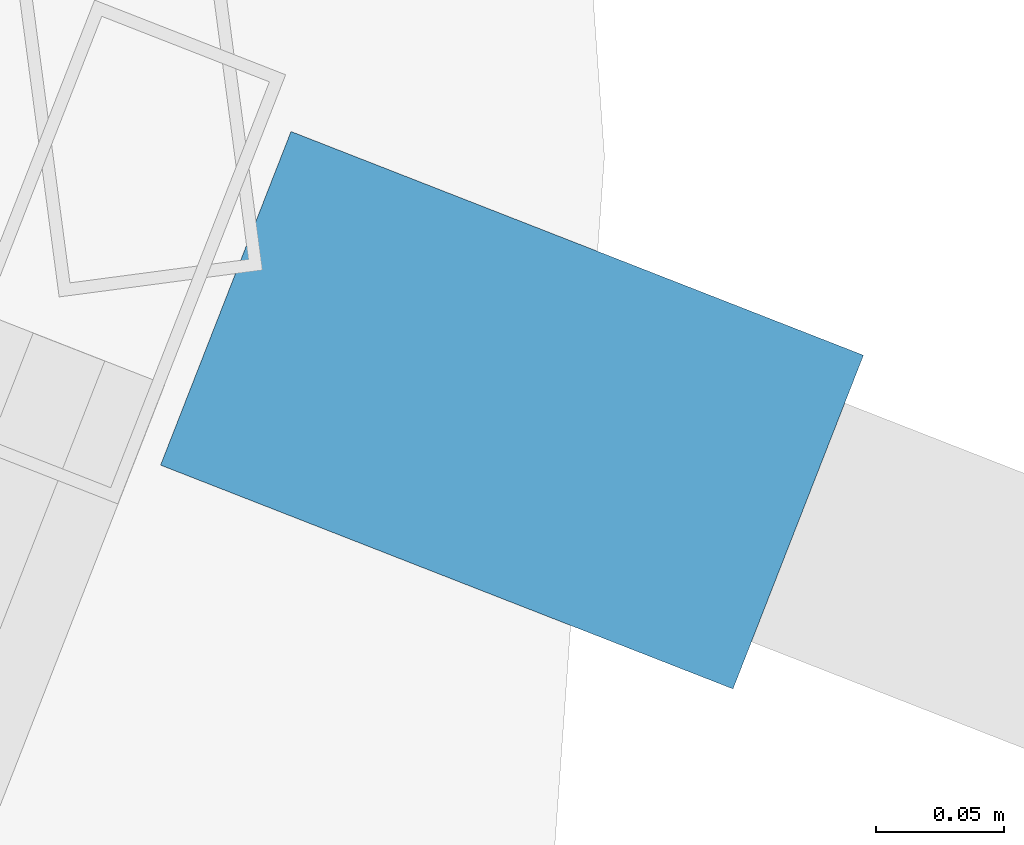
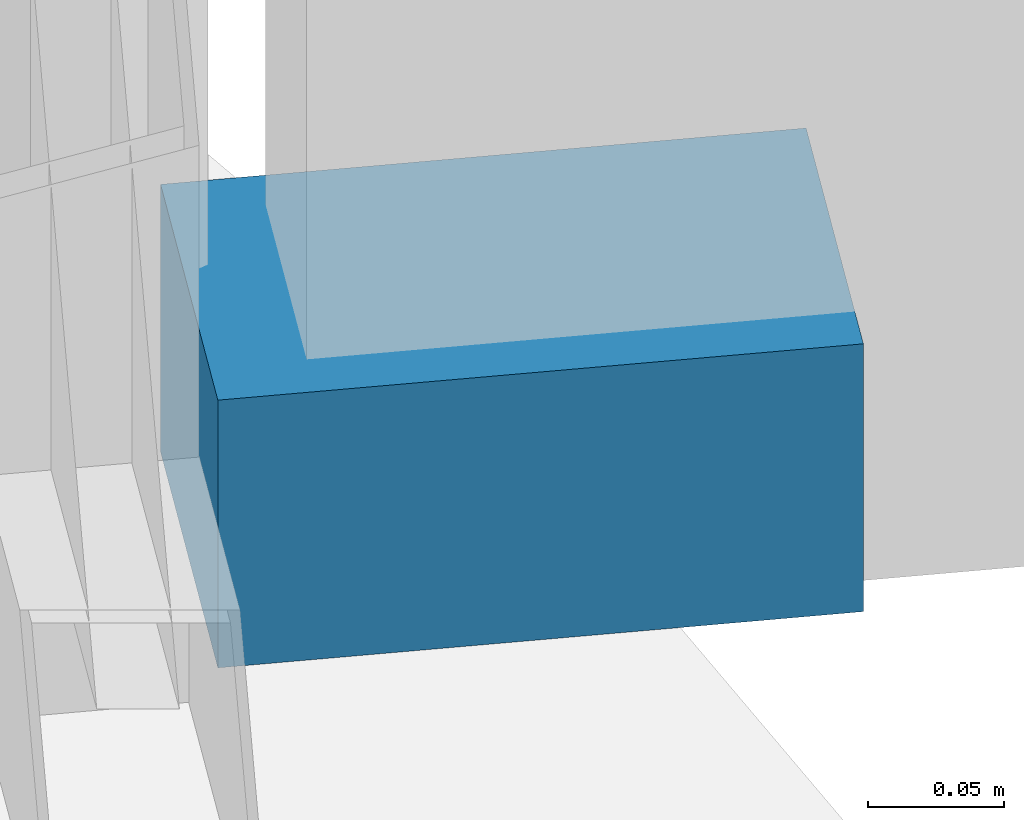
# One storey, part 30 of 33: 1 discrete accessory.
"""IFC4 building model written with IfcOpenShell, lengths in metres."""

import ifcopenshell
import ifcopenshell.guid

model = None  # the IFC model being written
_history = None  # IfcOwnerHistory: only IFC2X3 demands one
_inside = {}  # id of a spatial element -> (the spatial element, [elements in it])
_under = {}  # id of a project, library or spatial element -> (it, [spatial elements below it])
_declared = {}  # id of a project -> (the project, [libraries it declares])
_typed = {}  # id of a type object -> (the type object, [elements of that type])
_made_of = {}  # id of a material, layer set ... -> (it, [elements and type objects made of it])


def new_model(schema):
    """Start an empty IFC model of exactly this schema.

    Asked for "IFC4X3", IfcOpenShell would pick the latest addendum, in which some entities
    have other attributes; the version numbers below select the first issue.
    IFC2X3 requires an IfcOwnerHistory on every rooted entity: one is made here for all.
    """
    global model, _history
    if schema == "IFC4X3":
        model = ifcopenshell.file(schema_version=(4, 3, 0, 0))
    else:
        model = ifcopenshell.file(schema=schema)
    _inside.clear()
    _under.clear()
    _declared.clear()
    _typed.clear()
    _made_of.clear()
    _history = None
    if model.schema == "IFC2X3":
        org = make("IfcOrganization", Name="unknown")
        user = make(
            "IfcPersonAndOrganization",
            ThePerson=make("IfcPerson", FamilyName="unknown"),
            TheOrganization=org,
        )
        app = make(
            "IfcApplication",
            ApplicationDeveloper=org,
            Version="unknown",
            ApplicationFullName="unknown",
            ApplicationIdentifier="unknown",
        )
        _history = make(
            "IfcOwnerHistory",
            OwningUser=user,
            OwningApplication=app,
            ChangeAction="ADDED",
            CreationDate=0,
        )
    return model


def make(cls, **values):
    """One entity of the class cls with the attributes given. An attribute that is None is left unset."""
    return model.create_entity(
        cls, **{name: value for name, value in values.items() if value is not None}
    )


def rooted(cls, **values):
    """An entity with a GlobalId (a new one), such as an element, a storey or a relation."""
    return make(cls, GlobalId=ifcopenshell.guid.new(), OwnerHistory=_history, **values)


def si_unit(unit_type, name, prefix=None):
    """IfcSIUnit, for example si_unit("LENGTHUNIT", "METRE", prefix="MILLI")."""
    return make("IfcSIUnit", UnitType=unit_type, Prefix=prefix, Name=name)


def assignment(units):
    """IfcUnitAssignment: the units of a project."""
    return None if units is None else make("IfcUnitAssignment", Units=units)


def point(xyz):
    """IfcCartesianPoint."""
    return None if xyz is None else make("IfcCartesianPoint", Coordinates=xyz)


def direction(xyz):
    """IfcDirection."""
    return None if xyz is None else make("IfcDirection", DirectionRatios=xyz)


def frame(location, z_axis=None, x_axis=None):
    """IfcAxis2Placement3D, a coordinate frame: its origin and axes. An axis left out is left unset."""
    return make(
        "IfcAxis2Placement3D",
        Location=point(location),
        Axis=direction(z_axis),
        RefDirection=direction(x_axis),
    )


def frame_2d(location, x_axis=None):
    """IfcAxis2Placement2D, a coordinate frame in the plane: its origin and x axis."""
    return make(
        "IfcAxis2Placement2D", Location=point(location), RefDirection=direction(x_axis)
    )


def origin():
    """The frame at (0, 0, 0) with its axes left unset."""
    return frame((0.0, 0.0, 0.0))


def origin_2d():
    """The frame at (0, 0) in the plane with its x axis left unset."""
    return frame_2d((0.0, 0.0))


def place(relative_to, where):
    """IfcLocalPlacement: puts the frame where relative to a parent placement (None: the world)."""
    return make(
        "IfcLocalPlacement", PlacementRelTo=relative_to, RelativePlacement=where
    )


def context(
    kind, dimensions, precision=None, world=None, true_north=None, identifier=None
):
    """IfcGeometricRepresentationContext, for example the 3D "Model" context."""
    return make(
        "IfcGeometricRepresentationContext",
        ContextIdentifier=identifier,
        ContextType=kind,
        CoordinateSpaceDimension=dimensions,
        Precision=precision,
        WorldCoordinateSystem=world,
        TrueNorth=true_north,
    )


def subcontext(parent, identifier, kind, view, scale=None):
    """IfcGeometricRepresentationSubContext, for example "Body" below "Model"."""
    return make(
        "IfcGeometricRepresentationSubContext",
        ContextIdentifier=identifier,
        ContextType=kind,
        ParentContext=parent,
        TargetScale=scale,
        TargetView=view,
    )


def project(units=None, contexts=None):
    """IfcProject with its units and contexts."""
    return rooted(
        "IfcProject",
        Name="project",
        RepresentationContexts=contexts,
        UnitsInContext=assignment(units),
    )


def spatial(cls, under=None, at=None, **own):
    """A site, building, storey or space (cls), placed at a placement, below another one or the project."""
    s = rooted(cls, ObjectPlacement=at, **own)
    if under is not None:
        _under.setdefault(under.id(), (under, []))[1].append(s)
    return s


def profile(cls, at=None, kind="AREA", **sizes):
    """A parametric profile (cls). Its sizes go by their IFC names, for example OverallWidth=200.0."""
    return make(cls, ProfileType=kind, Position=at, **sizes)


def rectangle(**sizes):
    """IfcRectangleProfileDef."""
    return profile("IfcRectangleProfileDef", **sizes)


def extrude(swept, where, along, depth):
    """IfcExtrudedAreaSolid: the profile swept, set in the frame where, extruded along a direction by depth."""
    return make(
        "IfcExtrudedAreaSolid",
        SweptArea=swept,
        Position=where,
        ExtrudedDirection=direction(along),
        Depth=depth,
    )


def shape(context_of_items, identifier, shape_type, items):
    """IfcShapeRepresentation: the items that make up one representation, for example the "Body"."""
    return make(
        "IfcShapeRepresentation",
        ContextOfItems=context_of_items,
        RepresentationIdentifier=identifier,
        RepresentationType=shape_type,
        Items=items,
    )


def material(Name=None, Category=None):
    """IfcMaterial."""
    return make("IfcMaterial", Name=Name, Category=Category)


def made_of(thing, what):
    """Note that an element or type object is made of a material, layer set ...; save() writes the relation."""
    if what is not None:
        _made_of.setdefault(what.id(), (what, []))[1].append(thing)
    return thing


def type_object(cls, material=None, **own):
    """A type object (cls), such as IfcWallType, which elements share."""
    return made_of(rooted(cls, **own), material)


def element(
    cls,
    number,
    at=None,
    inside=None,
    cuts=None,
    type_object=None,
    material=None,
    context=None,
    identifier="Body",
    shape_type=None,
    held_by="IfcProductDefinitionShape",
    body=None,
    shapes=None,
    **own,
):
    """One element of the class cls, such as IfcWall. Its Tag is "e" and its number.

    at: its placement. inside: the storey or other place that contains it. cuts: it is an
    opening in that element (IfcRelVoidsElement). A single representation is given by context,
    identifier, shape_type and body (its items); several are given by shapes. held_by: the class
    of the entity that holds the representations. save() writes the other relations.
    """
    e = rooted(cls, Tag="e%d" % number, ObjectPlacement=at, **own)
    if body is not None:
        shapes = [shape(context, identifier, shape_type, body)]
    if shapes is not None:
        e.Representation = make(held_by, Representations=shapes)
    if inside is not None:
        _inside.setdefault(inside.id(), (inside, []))[1].append(e)
    if cuts is not None:
        rooted(
            "IfcRelVoidsElement", RelatingBuildingElement=cuts, RelatedOpeningElement=e
        )
    if type_object is not None:
        _typed.setdefault(type_object.id(), (type_object, []))[1].append(e)
    return made_of(e, material)


def aggregate(whole, parts):
    """IfcRelAggregates: a whole, such as a stair, and the parts it consists of."""
    return rooted("IfcRelAggregates", RelatingObject=whole, RelatedObjects=parts)


def save(model, path):
    """Write the relations noted so far, then the file.

    IfcRelAggregates (storeys below a building ...), IfcRelContainedInSpatialStructure (elements
    in a storey), IfcRelDefinesByType, IfcRelAssociatesMaterial and IfcRelDeclares: one each for
    every whole, place, type object, material and project.
    """
    for whole, parts in _under.values():
        aggregate(whole, parts)
    for where, things in _inside.values():
        rooted(
            "IfcRelContainedInSpatialStructure",
            RelatedElements=things,
            RelatingStructure=where,
        )
    for kind, things in _typed.values():
        rooted("IfcRelDefinesByType", RelatedObjects=things, RelatingType=kind)
    for what, things in _made_of.values():
        rooted("IfcRelAssociatesMaterial", RelatedObjects=things, RelatingMaterial=what)
    for by, libraries in _declared.values():
        rooted("IfcRelDeclares", RelatingContext=by, RelatedDefinitions=libraries)
    model.write(path)


model = new_model("IFC4")

# Units and contexts
model_context = context("Model", 3, precision=1e-05, world=origin(), true_north=direction((0.0, 1.0)))
body_context = subcontext(model_context, "Body", "Model", "MODEL_VIEW")
ifc_project = project(units=[si_unit("LENGTHUNIT", "METRE"), si_unit("AREAUNIT", "SQUARE_METRE"), si_unit("VOLUMEUNIT", "CUBIC_METRE"), si_unit("PLANEANGLEUNIT", "RADIAN"), si_unit("MASSUNIT", "GRAM", prefix="KILO")], contexts=[model_context])

# Site, building, storey
site_placement = place(None, origin())
site = spatial("IfcSite", under=ifc_project, at=site_placement, CompositionType="ELEMENT")
building_placement = place(site_placement, origin())
building = spatial("IfcBuilding", under=site, at=building_placement, Name="Kazevale Care Tower and Concert Hall", CompositionType="ELEMENT")
storey_placement = place(building_placement, frame((0.0, 0.0, 178.199951171875)))
storey = spatial("IfcBuildingStorey", under=building, at=storey_placement, Name="L47", CompositionType="ELEMENT", Elevation=178.199951171875)

# Discrete accessory
ifc_material = material(Name="Stainless Steel 316", Category="steel")
discrete_accessory_type = type_object("IfcDiscreteAccessoryType", Name="Facade Fin Stainless Anchor Bracket BRK-1", PredefinedType="BRACKET", material=ifc_material)
discrete_accessory_placement = place(storey_placement, frame((79.36376953125, 37.90087890625, 0.0), z_axis=(0.0, 0.0, 1.0), x_axis=(0.931373876365, -0.364064146031, 0.0)))
element("IfcDiscreteAccessory", 1, at=discrete_accessory_placement, inside=storey, type_object=discrete_accessory_type, Name="cw:L47:f01:brk", PredefinedType="BRACKET", context=body_context, shape_type="SweptSolid", body=[
    extrude(rectangle(XDim=0.239990234375, YDim=0.139892578125, at=origin_2d()), origin(), (0.0, 0.0, 1.0), 0.1201171875),
])

save(model, "model.ifc")
